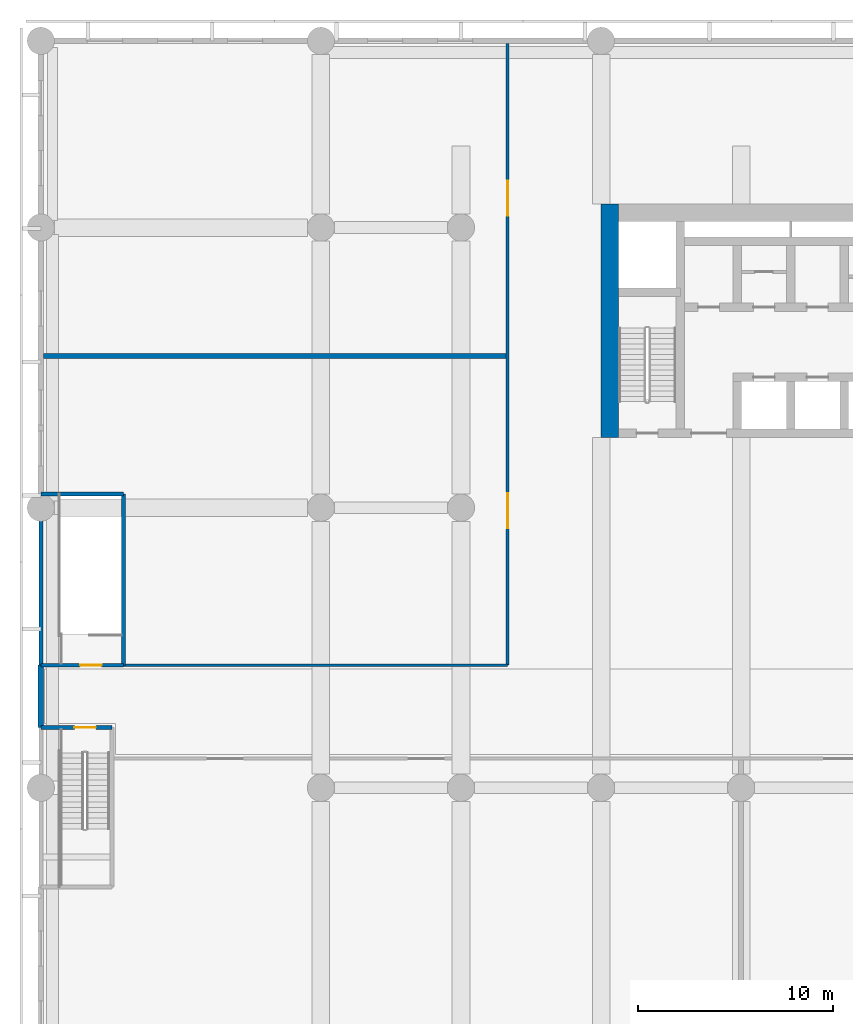
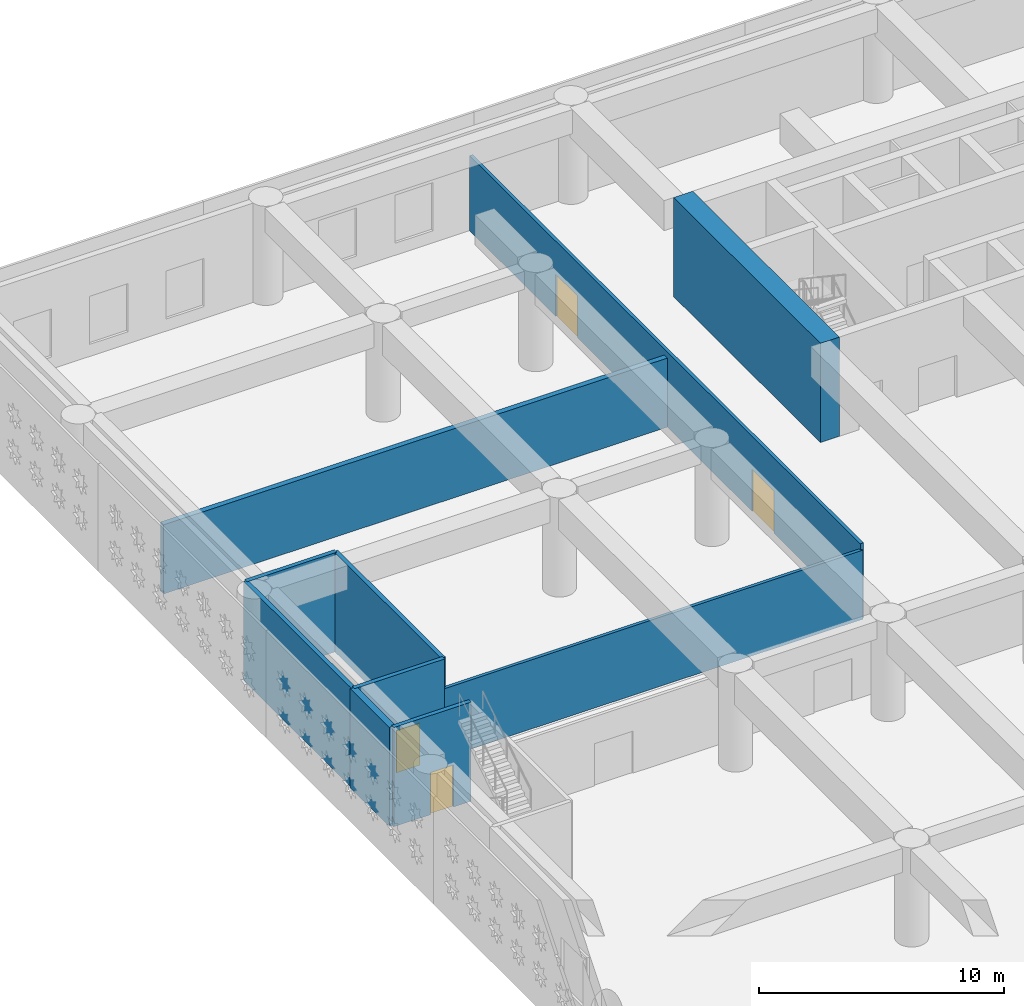
# One storey, part 4 of 24: 10 walls, 4 doors, 4 openings.
"""IFC4 building model written with IfcOpenShell, lengths in metres."""

from ifc_helpers import new_model, si_unit, direction, frame, frame_2d, origin, place, context, subcontext, project, spatial, rectangle, extrude, material, layer, layer_set, type_object, element, fill, save


model = new_model("IFC4")

# Units and contexts
model_context = context("Model", 3, precision=1e-05, world=origin(), true_north=direction((0.0, 1.0)))
body_context = subcontext(model_context, "Body", "Model", "MODEL_VIEW")
ifc_project = project(units=[si_unit("LENGTHUNIT", "METRE"), si_unit("AREAUNIT", "SQUARE_METRE"), si_unit("VOLUMEUNIT", "CUBIC_METRE"), si_unit("PLANEANGLEUNIT", "RADIAN"), si_unit("MASSUNIT", "GRAM", prefix="KILO")], contexts=[model_context])

# Site, building, storey
site_placement = place(None, origin())
site = spatial("IfcSite", under=ifc_project, at=site_placement, CompositionType="ELEMENT")
building_placement = place(site_placement, origin())
building = spatial("IfcBuilding", under=site, at=building_placement, Name="Saffron Iwan Residences", CompositionType="ELEMENT")
storey_placement = place(building_placement, frame((0.0, 0.0, 21.60009765625)))
storey = spatial("IfcBuildingStorey", under=building, at=storey_placement, Name="L04", CompositionType="ELEMENT", Elevation=21.60009765625)

# Wall
ifc_material_1 = material(Name="Concrete blockwork", Category="masonry")
ifc_layer_1 = layer(ifc_material_1, 0.14990234375)
ifc_layer_set_1 = layer_set([ifc_layer_1], Name="Concrete blockwork")
wall_type_1 = type_object("IfcWallType", Name="Blockwork partition 150", PredefinedType="PARTITIONING", material=ifc_layer_set_1)
wall_1_placement = place(storey_placement, frame((4.25, 54.300048828125, 0.0), z_axis=(0.0, 0.0, 1.0), x_axis=(1.0, 0.0, 0.0)))
element("IfcWall", 1, at=wall_1_placement, inside=storey, type_object=wall_type_1, Name="W-L04-007", PredefinedType="PARTITIONING", context=body_context, shape_type="SweptSolid", body=[
    extrude(rectangle(XDim=19.75, YDim=0.14990234375, at=frame_2d((9.875, 0.0))), origin(), (0.0, 0.0, 1.0), 3.449951171875),
])

# Wall, openings, doors
wall_2_placement = place(storey_placement, frame((24.0, 54.300048828125, 0.0), z_axis=(0.0, 0.0, 1.0), x_axis=(0.0, 1.0, 0.0)))
wall_2 = element("IfcWall", 2, at=wall_2_placement, inside=storey, type_object=wall_type_1, Name="W-L04-025", PredefinedType="PARTITIONING", context=body_context, shape_type="SweptSolid", body=[
    extrude(rectangle(XDim=31.949951171875, YDim=0.14990234375, at=frame_2d((15.97509765625, 0.0))), origin(), (0.0, 0.0, 1.0), 3.75),
])
opening_1_placement = place(wall_2_placement, frame((7.050048828125, 0.0, 0.0)))
opening_1 = element("IfcOpeningElement", 3, at=opening_1_placement, cuts=wall_2, Name="Opening L04.07", PredefinedType="OPENING", context=body_context, shape_type="SweptSolid", body=[
    extrude(rectangle(XDim=1.800048828125, YDim=2.10009765625, at=frame_2d((0.89990234375, 1.050048828125))), frame((0.0, 0.0849609375, 0.0), z_axis=(0.0, -1.0, 0.0), x_axis=(1.0, 0.0, 0.0)), (0.0, 0.0, 1.0), 0.169921875),
])
opening_2_placement = place(wall_2_placement, frame((23.10009765625, 0.0, 0.0)))
opening_2 = element("IfcOpeningElement", 4, at=opening_2_placement, cuts=wall_2, Name="Opening L04.08", PredefinedType="OPENING", context=body_context, shape_type="SweptSolid", body=[
    extrude(rectangle(XDim=1.800048828125, YDim=2.10009765625, at=frame_2d((0.89990234375, 1.050048828125))), frame((0.0, 0.0849609375, 0.0), z_axis=(0.0, -1.0, 0.0), x_axis=(1.0, 0.0, 0.0)), (0.0, 0.0, 1.0), 0.169921875),
])
ifc_material_2 = material(Name="Timber", Category="wood")
door_type_1 = type_object("IfcDoorType", Name="Door 1800x2100", OperationType="DOUBLE_DOOR_SINGLE_SWING", PredefinedType="DOOR", material=ifc_material_2)
door_1_placement = place(opening_1_placement, origin())
door_1 = element("IfcDoor", 5, at=door_1_placement, inside=storey, type_object=door_type_1, Name="D-L04-007", OperationType="DOUBLE_DOOR_SINGLE_SWING", OverallHeight=2.10009765625, OverallWidth=1.800048828125, PredefinedType="DOOR", context=body_context, shape_type="SweptSolid", body=[
    extrude(rectangle(XDim=1.800048828125, YDim=2.10009765625, at=frame_2d((0.89990234375, 1.050048828125))), frame((0.0, 0.02490234375, 0.0), z_axis=(0.0, -1.0, 0.0), x_axis=(1.0, 0.0, 0.0)), (0.0, 0.0, 1.0), 0.050048828125),
])
fill(opening_1, door_1)
door_2_placement = place(opening_2_placement, origin())
door_2 = element("IfcDoor", 6, at=door_2_placement, inside=storey, type_object=door_type_1, Name="D-L04-008", OperationType="DOUBLE_DOOR_SINGLE_SWING", OverallHeight=2.10009765625, OverallWidth=1.800048828125, PredefinedType="DOOR", context=body_context, shape_type="SweptSolid", body=[
    extrude(rectangle(XDim=1.800048828125, YDim=2.10009765625, at=frame_2d((0.89990234375, 1.050048828125))), frame((0.0, 0.02490234375, 0.0), z_axis=(0.0, -1.0, 0.0), x_axis=(1.0, 0.0, 0.0)), (0.0, 0.0, 1.0), 0.050048828125),
])
fill(opening_2, door_2)

# Walls
ifc_material_3 = material(Name="Concrete C40/50", Category="concrete")
ifc_layer_2 = layer(ifc_material_3, 0.25)
ifc_layer_set_2 = layer_set([ifc_layer_2], Name="Concrete C40/50")
wall_type_2 = type_object("IfcWallType", Name="Fire compartment wall 250", PredefinedType="SOLIDWALL", material=ifc_layer_set_2)
wall_3_placement = place(storey_placement, frame((0.14990234375, 70.199951171875, 0.0), z_axis=(0.0, 0.0, 1.0), x_axis=(1.0, 0.0, 0.0)))
element("IfcWall", 7, at=wall_3_placement, inside=storey, type_object=wall_type_2, Name="W-L04-015", PredefinedType="SOLIDWALL", context=body_context, shape_type="SweptSolid", body=[
    extrude(rectangle(XDim=23.775146484375, YDim=0.25, at=frame_2d((11.8876953125, 0.0))), origin(), (0.0, 0.0, 1.0), 3.449951171875),
])
ifc_material_4 = material(Name="Precast concrete C40/50", Category="concrete")
ifc_layer_3 = layer(ifc_material_4, 0.300048828125)
ifc_layer_set_3 = layer_set([ifc_layer_3], Name="Precast concrete C40/50")
wall_type_3 = type_object("IfcWallType", Name="Podium external wall 300", PredefinedType="SOLIDWALL", material=ifc_layer_set_3)
wall_4_placement = place(storey_placement, frame((0.0, 51.10009765625, 0.0), z_axis=(0.0, 0.0, 1.0), x_axis=(0.0, 1.0, 0.0)))
element("IfcWall", 8, at=wall_4_placement, inside=storey, type_object=wall_type_3, Name="W-L04-019", PredefinedType="SOLIDWALL", context=body_context, shape_type="SweptSolid", body=[
    extrude(rectangle(XDim=3.199951171875, YDim=0.300048828125, at=frame_2d((1.60009765625, 0.0))), origin(), (0.0, 0.0, 1.0), 4.949951171875),
])

# Wall, opening, door
ifc_layer_4 = layer(ifc_material_3, 0.199951171875)
ifc_layer_set_4 = layer_set([ifc_layer_4], Name="Concrete C40/50")
wall_type_4 = type_object("IfcWallType", Name="Reinforced concrete stair wall 200", PredefinedType="SOLIDWALL", material=ifc_layer_set_4)
wall_5_placement = place(storey_placement, frame((0.0, 51.10009765625, 0.0), z_axis=(0.0, 0.0, 1.0), x_axis=(1.0, 0.0, 0.0)))
wall_5 = element("IfcWall", 9, at=wall_5_placement, inside=storey, type_object=wall_type_4, Name="W-L04-005", PredefinedType="SOLIDWALL", context=body_context, shape_type="SweptSolid", body=[
    extrude(rectangle(XDim=3.64990234375, YDim=0.199951171875, at=frame_2d((1.824951171875, 0.0))), origin(), (0.0, 0.0, 1.0), 4.949951171875),
])
opening_3_placement = place(wall_5_placement, frame((1.72509765625, 0.0, 0.0)))
opening_3 = element("IfcOpeningElement", 10, at=opening_3_placement, cuts=wall_5, Name="Opening L04.17", PredefinedType="OPENING", context=body_context, shape_type="SweptSolid", body=[
    extrude(rectangle(XDim=1.10009765625, YDim=2.10009765625, at=frame_2d((0.550048828125, 1.050048828125))), frame((0.0, 0.10986328125, 0.0), z_axis=(0.0, -1.0, 0.0), x_axis=(1.0, 0.0, 0.0)), (0.0, 0.0, 1.0), 0.219970703125),
])
ifc_material_5 = material(Name="Steel", Category="steel")
door_type_2 = type_object("IfcDoorType", Name="Fire door 1100x2100", OperationType="NOTDEFINED", PredefinedType="DOOR", material=ifc_material_5)
door_3_placement = place(opening_3_placement, origin())
door_3 = element("IfcDoor", 11, at=door_3_placement, inside=storey, type_object=door_type_2, Name="D-L04-017", OperationType="SINGLE_SWING_RIGHT", OverallHeight=2.10009765625, OverallWidth=1.10009765625, PredefinedType="DOOR", context=body_context, shape_type="SweptSolid", body=[
    extrude(rectangle(XDim=1.10009765625, YDim=2.10009765625, at=frame_2d((0.550048828125, 1.050048828125))), frame((0.0, 0.02490234375, 0.0), z_axis=(0.0, -1.0, 0.0), x_axis=(1.0, 0.0, 0.0)), (0.0, 0.0, 1.0), 0.050048828125),
])
fill(opening_3, door_3)

wall_6_placement = place(storey_placement, frame((0.0, 54.300048828125, 0.0), z_axis=(0.0, 0.0, 1.0), x_axis=(1.0, 0.0, 0.0)))
wall_6 = element("IfcWall", 12, at=wall_6_placement, inside=storey, type_object=wall_type_4, Name="W-L04-009", PredefinedType="SOLIDWALL", context=body_context, shape_type="SweptSolid", body=[
    extrude(rectangle(XDim=4.25, YDim=0.199951171875, at=frame_2d((2.125, 0.0))), origin(), (0.0, 0.0, 1.0), 4.949951171875),
])
opening_4_placement = place(wall_6_placement, frame((2.02490234375, 0.0, 0.0)))
opening_4 = element("IfcOpeningElement", 13, at=opening_4_placement, cuts=wall_6, Name="Opening L04.19", PredefinedType="OPENING", context=body_context, shape_type="SweptSolid", body=[
    extrude(rectangle(XDim=1.10009765625, YDim=2.10009765625, at=frame_2d((0.550048828125, 1.050048828125))), frame((0.0, 0.10986328125, 0.0), z_axis=(0.0, -1.0, 0.0), x_axis=(1.0, 0.0, 0.0)), (0.0, 0.0, 1.0), 0.219970703125),
])
door_4_placement = place(opening_4_placement, origin())
door_4 = element("IfcDoor", 14, at=door_4_placement, inside=storey, type_object=door_type_2, Name="D-L04-019", OperationType="SINGLE_SWING_RIGHT", OverallHeight=2.10009765625, OverallWidth=1.10009765625, PredefinedType="DOOR", context=body_context, shape_type="SweptSolid", body=[
    extrude(rectangle(XDim=1.10009765625, YDim=2.10009765625, at=frame_2d((0.550048828125, 1.050048828125))), frame((0.0, 0.02490234375, 0.0), z_axis=(0.0, -1.0, 0.0), x_axis=(1.0, 0.0, 0.0)), (0.0, 0.0, 1.0), 0.050048828125),
])
fill(opening_4, door_4)

# Walls
wall_7_placement = place(storey_placement, frame((0.0, 63.10009765625, 0.0), z_axis=(0.0, 0.0, 1.0), x_axis=(1.0, 0.0, 0.0)))
element("IfcWall", 15, at=wall_7_placement, inside=storey, type_object=wall_type_4, Name="W-L04-013", PredefinedType="SOLIDWALL", context=body_context, shape_type="SweptSolid", body=[
    extrude(rectangle(XDim=4.25, YDim=0.199951171875, at=frame_2d((2.125, 0.0))), origin(), (0.0, 0.0, 1.0), 4.949951171875),
])
for number, where, z_axis, x_axis, name in (
    (16, (0.0, 54.300048828125, 0.0), (0.0, 0.0, 1.0), (0.0, 1.0, 0.0), "W-L04-022"),
    (17, (4.25, 54.300048828125, 0.0), (0.0, 0.0, 1.0), (0.0, 1.0, 0.0), "W-L04-024"),
):
    element("IfcWall", number, at=place(storey_placement, frame(where, z_axis=z_axis, x_axis=x_axis)), inside=storey, type_object=wall_type_4, Name=name, PredefinedType="SOLIDWALL", context=body_context, shape_type="SweptSolid", body=[
        extrude(rectangle(XDim=8.800048828125, YDim=0.199951171875, at=frame_2d((4.39990234375, 0.0))), origin(), (0.0, 0.0, 1.0), 4.949951171875),
    ])
ifc_material_6 = material(Name="Concrete C60/75", Category="concrete")
ifc_layer_5 = layer(ifc_material_6, 0.89990234375)
ifc_layer_set_5 = layer_set([ifc_layer_5], Name="Concrete C60/75")
wall_type_5 = type_object("IfcWallType", Name="WALL CORE 900 C60/75 4950 HIGH", PredefinedType="SHEAR", material=ifc_layer_set_5)
wall_8_placement = place(storey_placement, frame((29.25, 66.0, 0.0), z_axis=(0.0, 0.0, 1.0), x_axis=(0.0, 1.0, 0.0)))
element("IfcWall", 18, at=wall_8_placement, inside=storey, type_object=wall_type_5, Name="Core wall", PredefinedType="SHEAR", context=body_context, shape_type="SweptSolid", body=[
    extrude(rectangle(XDim=12.0, YDim=0.89990234375, at=frame_2d((6.0, 0.0))), origin(), (0.0, 0.0, 1.0), 4.949951171875),
])

save(model, "model.ifc")
